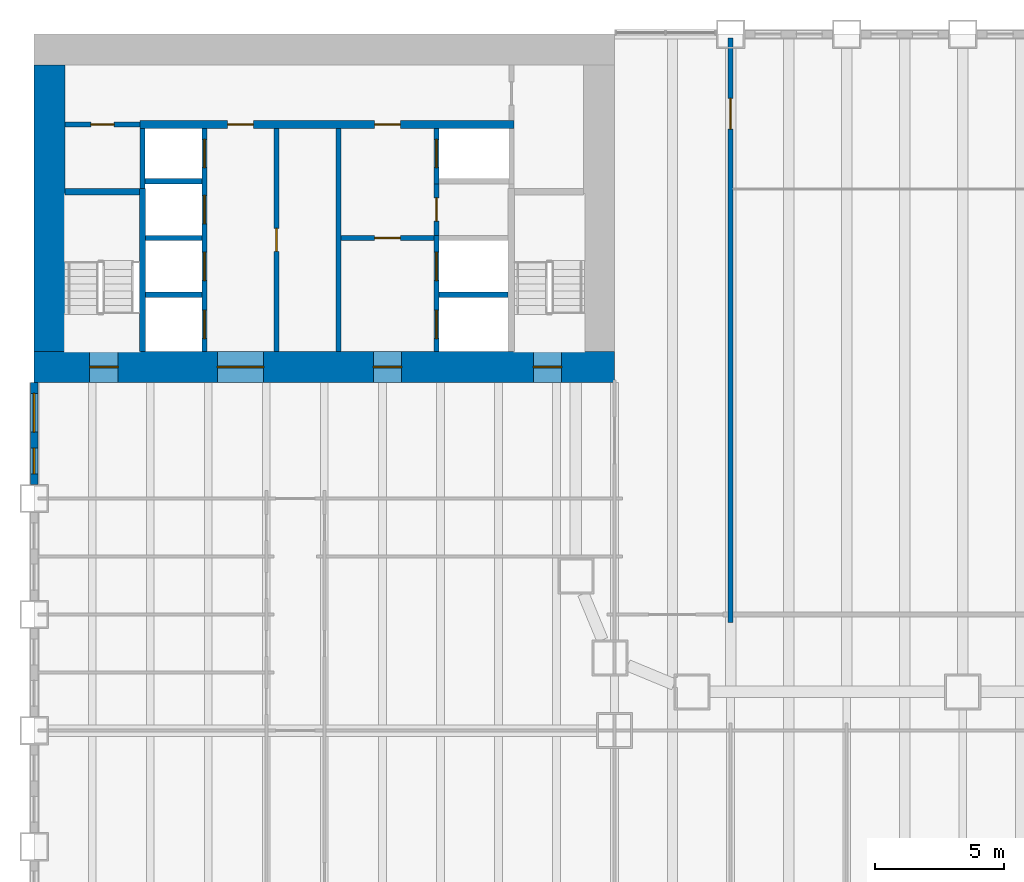
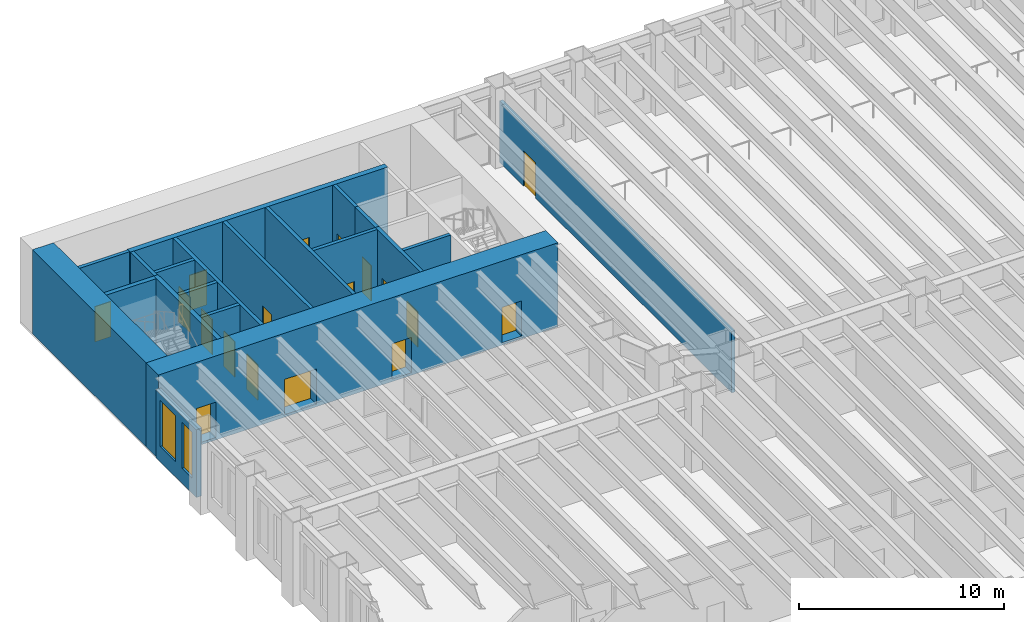
# One storey, part 12 of 19: 20 walls, 18 doors, 2 windows, 20 openings.
"""IFC4 building model written with IfcOpenShell, lengths in metres."""

from ifc_helpers import new_model, si_unit, direction, frame, frame_2d, origin, place, context, subcontext, project, spatial, rectangle, extrude, material, layer, layer_set, type_object, element, fill, save


model = new_model("IFC4")

# Units and contexts
model_context = context("Model", 3, precision=1e-05, world=origin(), true_north=direction((0.0, 1.0)))
body_context = subcontext(model_context, "Body", "Model", "MODEL_VIEW")
ifc_project = project(units=[si_unit("LENGTHUNIT", "METRE"), si_unit("AREAUNIT", "SQUARE_METRE"), si_unit("VOLUMEUNIT", "CUBIC_METRE"), si_unit("PLANEANGLEUNIT", "RADIAN"), si_unit("MASSUNIT", "GRAM", prefix="KILO")], contexts=[model_context])

# Site, building, storey
site_placement = place(None, origin())
site = spatial("IfcSite", under=ifc_project, at=site_placement, CompositionType="ELEMENT")
building_placement = place(site_placement, origin())
building = spatial("IfcBuilding", under=site, at=building_placement, Name="Sennacour Bend Tower", CompositionType="ELEMENT")
storey_placement = place(building_placement, frame((0.0, 0.0, 14.0)))
storey = spatial("IfcBuildingStorey", under=building, at=storey_placement, Name="L02", CompositionType="ELEMENT", Elevation=14.0)

# Wall, openings, doors
ifc_material_1 = material(Name="Concrete C80/95", Category="concrete")
ifc_layer_1 = layer(ifc_material_1, 1.199951171875, Name="Concrete C80/95", Category="concrete")
ifc_layer_set_1 = layer_set([ifc_layer_1], Name="Concrete C80/95")
wall_type_1 = type_object("IfcWallType", Name="Core wall 1200 C80/95", PredefinedType="SHEAR", material=ifc_layer_set_1)
wall_1_placement = place(storey_placement, frame((0.0, 36.60009765625, -0.14990234375), z_axis=(0.0, 0.0, 1.0), x_axis=(1.0, 0.0, 0.0)))
wall_1 = element("IfcWall", 1, at=wall_1_placement, inside=storey, type_object=wall_type_1, Name="Core B wall L02 S", PredefinedType="SHEAR", context=body_context, shape_type="SweptSolid", body=[
    extrude(rectangle(XDim=22.5, YDim=1.199951171875, at=frame_2d((11.25, 0.0))), origin(), (0.0, 0.0, 1.0), 5.0),
])
opening_1_placement = place(wall_1_placement, frame((7.10009765625, 0.0, 0.14990234375)))
opening_1 = element("IfcOpeningElement", 2, at=opening_1_placement, cuts=wall_1, Name="Opening CD", PredefinedType="OPENING", context=body_context, shape_type="SweptSolid", body=[
    extrude(rectangle(XDim=1.800048828125, YDim=2.10009765625, at=frame_2d((0.89990234375, 1.050048828125))), frame((0.0, 0.60986328125, 0.0), z_axis=(0.0, -1.0, 0.0), x_axis=(1.0, 0.0, 0.0)), (0.0, 0.0, 1.0), 1.219970703125),
])
opening_2_placement = place(wall_1_placement, frame((13.14990234375, 0.0, 0.14990234375)))
opening_2 = element("IfcOpeningElement", 3, at=opening_2_placement, cuts=wall_1, Name="Opening FD", PredefinedType="OPENING", context=body_context, shape_type="SweptSolid", body=[
    extrude(rectangle(XDim=1.10009765625, YDim=2.10009765625, at=frame_2d((0.550048828125, 1.050048828125))), frame((0.0, 0.60986328125, 0.0), z_axis=(0.0, -1.0, 0.0), x_axis=(1.0, 0.0, 0.0)), (0.0, 0.0, 1.0), 1.219970703125),
])
opening_3_placement = place(wall_1_placement, frame((2.14990234375, 0.0, 0.14990234375)))
opening_3 = element("IfcOpeningElement", 4, at=opening_3_placement, cuts=wall_1, Name="Opening SD", PredefinedType="OPENING", context=body_context, shape_type="SweptSolid", body=[
    extrude(rectangle(XDim=1.10009765625, YDim=2.10009765625, at=frame_2d((0.550048828125, 1.050048828125))), frame((0.0, 0.60986328125, 0.0), z_axis=(0.0, -1.0, 0.0), x_axis=(1.0, 0.0, 0.0)), (0.0, 0.0, 1.0), 1.219970703125),
])
opening_4_placement = place(wall_1_placement, frame((19.35009765625, 0.0, 0.14990234375)))
opening_4 = element("IfcOpeningElement", 5, at=opening_4_placement, cuts=wall_1, Name="Opening SD", PredefinedType="OPENING", context=body_context, shape_type="SweptSolid", body=[
    extrude(rectangle(XDim=1.10009765625, YDim=2.10009765625, at=frame_2d((0.550048828125, 1.050048828125))), frame((0.0, 0.60986328125, 0.0), z_axis=(0.0, -1.0, 0.0), x_axis=(1.0, 0.0, 0.0)), (0.0, 0.0, 1.0), 1.219970703125),
])
ifc_material_2 = material(Name="Painted steel", Category="steel")
door_type_1 = type_object("IfcDoorType", Name="DR-FFL-1100", OperationType="NOTDEFINED", PredefinedType="DOOR", material=ifc_material_2)
door_1_placement = place(opening_2_placement, origin())
door_1 = element("IfcDoor", 6, at=door_1_placement, inside=storey, type_object=door_type_1, Name="Door", OperationType="SINGLE_SWING_RIGHT", OverallHeight=2.10009765625, OverallWidth=1.10009765625, PredefinedType="DOOR", context=body_context, shape_type="SweptSolid", body=[
    extrude(rectangle(XDim=1.10009765625, YDim=2.10009765625, at=frame_2d((0.550048828125, 1.050048828125))), frame((0.0, 0.02490234375, 0.0), z_axis=(0.0, -1.0, 0.0), x_axis=(1.0, 0.0, 0.0)), (0.0, 0.0, 1.0), 0.050048828125),
])
fill(opening_2, door_1)
door_type_2 = type_object("IfcDoorType", Name="DR-LOBBY-1800", OperationType="NOTDEFINED", PredefinedType="DOOR", material=ifc_material_2)
door_2_placement = place(opening_1_placement, origin())
door_2 = element("IfcDoor", 7, at=door_2_placement, inside=storey, type_object=door_type_2, Name="Door", OperationType="DOUBLE_DOOR_SINGLE_SWING", OverallHeight=2.10009765625, OverallWidth=1.800048828125, PredefinedType="DOOR", context=body_context, shape_type="SweptSolid", body=[
    extrude(rectangle(XDim=1.800048828125, YDim=2.10009765625, at=frame_2d((0.89990234375, 1.050048828125))), frame((0.0, 0.02490234375, 0.0), z_axis=(0.0, -1.0, 0.0), x_axis=(1.0, 0.0, 0.0)), (0.0, 0.0, 1.0), 0.050048828125),
])
fill(opening_1, door_2)
door_type_3 = type_object("IfcDoorType", Name="DR-STAIR-1100", OperationType="NOTDEFINED", PredefinedType="DOOR", material=ifc_material_2)
door_3_placement = place(opening_3_placement, origin())
door_3 = element("IfcDoor", 8, at=door_3_placement, inside=storey, type_object=door_type_3, Name="Door", OperationType="SINGLE_SWING_LEFT", OverallHeight=2.10009765625, OverallWidth=1.10009765625, PredefinedType="DOOR", context=body_context, shape_type="SweptSolid", body=[
    extrude(rectangle(XDim=1.10009765625, YDim=2.10009765625, at=frame_2d((0.550048828125, 1.050048828125))), frame((0.0, 0.02490234375, 0.0), z_axis=(0.0, -1.0, 0.0), x_axis=(1.0, 0.0, 0.0)), (0.0, 0.0, 1.0), 0.050048828125),
])
fill(opening_3, door_3)
door_4_placement = place(opening_4_placement, origin())
door_4 = element("IfcDoor", 9, at=door_4_placement, inside=storey, type_object=door_type_3, Name="Door", OperationType="SINGLE_SWING_RIGHT", OverallHeight=2.10009765625, OverallWidth=1.10009765625, PredefinedType="DOOR", context=body_context, shape_type="SweptSolid", body=[
    extrude(rectangle(XDim=1.10009765625, YDim=2.10009765625, at=frame_2d((0.550048828125, 1.050048828125))), frame((0.0, 0.02490234375, 0.0), z_axis=(0.0, -1.0, 0.0), x_axis=(1.0, 0.0, 0.0)), (0.0, 0.0, 1.0), 0.050048828125),
])
fill(opening_4, door_4)

# Wall
wall_2_placement = place(storey_placement, frame((0.60009765625, 37.199951171875, -0.14990234375), z_axis=(0.0, 0.0, 1.0), x_axis=(0.0, 1.0, 0.0)))
element("IfcWall", 10, at=wall_2_placement, inside=storey, type_object=wall_type_1, Name="Core B wall L02 W", PredefinedType="SHEAR", context=body_context, shape_type="SweptSolid", body=[
    extrude(rectangle(XDim=11.10009765625, YDim=1.199951171875, at=frame_2d((5.550048828125, 0.0))), origin(), (0.0, 0.0, 1.0), 5.0),
])

# Wall, opening, door
ifc_material_3 = material(Name="Fire-rated plasterboard partition on steel studs", Category="steel")
ifc_layer_2 = layer(ifc_material_3, 0.199951171875, Name="Fire-rated plasterboard partition on steel studs", Category="steel")
ifc_layer_set_2 = layer_set([ifc_layer_2], Name="Fire-rated plasterboard partition on steel studs")
wall_type_2 = type_object("IfcWallType", Name="Rated partition 200", PredefinedType="PARTITIONING", material=ifc_layer_set_2)
wall_3_placement = place(storey_placement, frame((9.39990234375, 37.199951171875, 0.0), z_axis=(0.0, 0.0, 1.0), x_axis=(0.0, 1.0, 0.0)))
wall_3 = element("IfcWall", 11, at=wall_3_placement, inside=storey, type_object=wall_type_2, Name="P-L02-W010", PredefinedType="PARTITIONING", context=body_context, shape_type="SweptSolid", body=[
    extrude(rectangle(XDim=8.650146484375, YDim=0.199951171875, at=frame_2d((4.3251953125, 0.0))), origin(), (0.0, 0.0, 1.0), 4.75),
])
opening_5_placement = place(wall_3_placement, frame((3.875, 0.0, 0.0)))
opening_5 = element("IfcOpeningElement", 12, at=opening_5_placement, cuts=wall_3, Name="Opening SV", PredefinedType="OPENING", context=body_context, shape_type="SweptSolid", body=[
    extrude(rectangle(XDim=0.89990234375, YDim=2.10009765625, at=frame_2d((0.449951171875, 1.050048828125))), frame((0.0, 0.10986328125, 0.0), z_axis=(0.0, -1.0, 0.0), x_axis=(1.0, 0.0, 0.0)), (0.0, 0.0, 1.0), 0.219970703125),
])
door_type_4 = type_object("IfcDoorType", Name="DR-SERVICE-900", OperationType="NOTDEFINED", PredefinedType="DOOR", material=ifc_material_2)
door_5_placement = place(opening_5_placement, origin())
door_5 = element("IfcDoor", 13, at=door_5_placement, inside=storey, type_object=door_type_4, Name="Door", OperationType="SINGLE_SWING_LEFT", OverallHeight=2.10009765625, OverallWidth=0.89990234375, PredefinedType="DOOR", context=body_context, shape_type="SweptSolid", body=[
    extrude(rectangle(XDim=0.89990234375, YDim=2.10009765625, at=frame_2d((0.449951171875, 1.050048828125))), frame((0.0, 0.02490234375, 0.0), z_axis=(0.0, -1.0, 0.0), x_axis=(1.0, 0.0, 0.0)), (0.0, 0.0, 1.0), 0.050048828125),
])
fill(opening_5, door_5)

# Wall
wall_4_placement = place(storey_placement, frame((11.800048828125, 37.199951171875, 0.0), z_axis=(0.0, 0.0, 1.0), x_axis=(0.0, 1.0, 0.0)))
element("IfcWall", 14, at=wall_4_placement, inside=storey, type_object=wall_type_2, Name="P-L02-W012", PredefinedType="PARTITIONING", context=body_context, shape_type="SweptSolid", body=[
    extrude(rectangle(XDim=8.650146484375, YDim=0.199951171875, at=frame_2d((4.3251953125, 0.0))), origin(), (0.0, 0.0, 1.0), 4.75),
])

# Wall, opening, door
wall_5_placement = place(storey_placement, frame((15.60009765625, 41.699951171875, 0.0), z_axis=(0.0, 0.0, 1.0), x_axis=(0.0, 1.0, 0.0)))
wall_5 = element("IfcWall", 15, at=wall_5_placement, inside=storey, type_object=wall_type_2, Name="P-L02-W014", PredefinedType="PARTITIONING", context=body_context, shape_type="SweptSolid", body=[
    extrude(rectangle(XDim=2.0, YDim=0.199951171875, at=frame_2d((1.0, 0.0))), origin(), (0.0, 0.0, 1.0), 4.75),
])
opening_6_placement = place(wall_5_placement, frame((0.550048828125, 0.0, 0.0)))
opening_6 = element("IfcOpeningElement", 16, at=opening_6_placement, cuts=wall_5, Name="Opening SV", PredefinedType="OPENING", context=body_context, shape_type="SweptSolid", body=[
    extrude(rectangle(XDim=0.89990234375, YDim=2.10009765625, at=frame_2d((0.449951171875, 1.050048828125))), frame((0.0, 0.10986328125, 0.0), z_axis=(0.0, -1.0, 0.0), x_axis=(1.0, 0.0, 0.0)), (0.0, 0.0, 1.0), 0.219970703125),
])
door_6_placement = place(opening_6_placement, origin())
door_6 = element("IfcDoor", 17, at=door_6_placement, inside=storey, type_object=door_type_4, Name="Door", OperationType="SINGLE_SWING_RIGHT", OverallHeight=2.10009765625, OverallWidth=0.89990234375, PredefinedType="DOOR", context=body_context, shape_type="SweptSolid", body=[
    extrude(rectangle(XDim=0.89990234375, YDim=2.10009765625, at=frame_2d((0.449951171875, 1.050048828125))), frame((0.0, 0.02490234375, 0.0), z_axis=(0.0, -1.0, 0.0), x_axis=(1.0, 0.0, 0.0)), (0.0, 0.0, 1.0), 0.050048828125),
])
fill(opening_6, door_6)

wall_6_placement = place(storey_placement, frame((27.0, 26.699951171875, 0.0), z_axis=(0.0, 0.0, 1.0), x_axis=(0.0, 1.0, 0.0)))
wall_6 = element("IfcWall", 18, at=wall_6_placement, inside=storey, type_object=wall_type_2, Name="P-L02-W023a", PredefinedType="PARTITIONING", context=body_context, shape_type="SweptSolid", body=[
    extrude(rectangle(XDim=22.650146484375, YDim=0.199951171875, at=frame_2d((11.3251953125, 0.0))), origin(), (0.0, 0.0, 1.0), 3.66015625),
])
opening_7_placement = place(wall_6_placement, frame((19.114990234375, 0.0, 0.0)))
opening_7 = element("IfcOpeningElement", 19, at=opening_7_placement, cuts=wall_6, Name="Opening CD3", PredefinedType="OPENING", context=body_context, shape_type="SweptSolid", body=[
    extrude(rectangle(XDim=1.199951171875, YDim=2.10009765625, at=frame_2d((0.60009765625, 1.050048828125))), frame((0.0, 0.10986328125, 0.0), z_axis=(0.0, -1.0, 0.0), x_axis=(1.0, 0.0, 0.0)), (0.0, 0.0, 1.0), 0.219970703125),
])
door_type_5 = type_object("IfcDoorType", Name="DR-LOBBY-1200", OperationType="NOTDEFINED", PredefinedType="DOOR", material=ifc_material_2)
door_7_placement = place(opening_7_placement, origin())
door_7 = element("IfcDoor", 20, at=door_7_placement, inside=storey, type_object=door_type_5, Name="Door", OperationType="SINGLE_SWING_RIGHT", OverallHeight=2.10009765625, OverallWidth=1.199951171875, PredefinedType="DOOR", context=body_context, shape_type="SweptSolid", body=[
    extrude(rectangle(XDim=1.199951171875, YDim=2.10009765625, at=frame_2d((0.60009765625, 1.050048828125))), frame((0.0, 0.02490234375, 0.0), z_axis=(0.0, -1.0, 0.0), x_axis=(1.0, 0.0, 0.0)), (0.0, 0.0, 1.0), 0.050048828125),
])
fill(opening_7, door_7)

wall_7_placement = place(storey_placement, frame((1.199951171875, 46.0, 0.0), z_axis=(0.0, 0.0, 1.0), x_axis=(1.0, 0.0, 0.0)))
wall_7 = element("IfcWall", 21, at=wall_7_placement, inside=storey, type_object=wall_type_2, Name="P-L02-W080", PredefinedType="PARTITIONING", context=body_context, shape_type="SweptSolid", body=[
    extrude(rectangle(XDim=2.900146484375, YDim=0.199951171875, at=frame_2d((1.4501953125, 0.0))), origin(), (0.0, 0.0, 1.0), 4.75),
])
opening_8_placement = place(wall_7_placement, frame((1.0, 0.0, 0.0)))
opening_8 = element("IfcOpeningElement", 22, at=opening_8_placement, cuts=wall_7, Name="Opening SV", PredefinedType="OPENING", context=body_context, shape_type="SweptSolid", body=[
    extrude(rectangle(XDim=0.89990234375, YDim=2.10009765625, at=frame_2d((0.449951171875, 1.050048828125))), frame((0.0, 0.10986328125, 0.0), z_axis=(0.0, -1.0, 0.0), x_axis=(1.0, 0.0, 0.0)), (0.0, 0.0, 1.0), 0.219970703125),
])
door_8_placement = place(opening_8_placement, origin())
door_8 = element("IfcDoor", 23, at=door_8_placement, inside=storey, type_object=door_type_4, Name="Door", OperationType="SINGLE_SWING_LEFT", OverallHeight=2.10009765625, OverallWidth=0.89990234375, PredefinedType="DOOR", context=body_context, shape_type="SweptSolid", body=[
    extrude(rectangle(XDim=0.89990234375, YDim=2.10009765625, at=frame_2d((0.449951171875, 1.050048828125))), frame((0.0, 0.02490234375, 0.0), z_axis=(0.0, -1.0, 0.0), x_axis=(1.0, 0.0, 0.0)), (0.0, 0.0, 1.0), 0.050048828125),
])
fill(opening_8, door_8)

ifc_layer_3 = layer(ifc_material_3, 0.199951171875, Name="Fire-rated plasterboard partition on steel studs", Category="steel")
ifc_layer_set_3 = layer_set([ifc_layer_3], Name="Fire-rated plasterboard partition on steel studs")
wall_type_3 = type_object("IfcWallType", Name="Rated partition 200 EI 90", PredefinedType="PARTITIONING", material=ifc_layer_set_3)
wall_8_placement = place(storey_placement, frame((11.89990234375, 41.60009765625, 0.0), z_axis=(0.0, 0.0, 1.0), x_axis=(1.0, 0.0, 0.0)))
wall_8 = element("IfcWall", 24, at=wall_8_placement, inside=storey, type_object=wall_type_3, Name="P-L02-W074", PredefinedType="PARTITIONING", context=body_context, shape_type="SweptSolid", body=[
    extrude(rectangle(XDim=3.60009765625, YDim=0.199951171875, at=frame_2d((1.800048828125, 0.0))), origin(), (0.0, 0.0, 1.0), 4.75),
])
opening_9_placement = place(wall_8_placement, frame((1.300048828125, 0.0, 0.0)))
opening_9 = element("IfcOpeningElement", 25, at=opening_9_placement, cuts=wall_8, Name="Opening FD2", PredefinedType="OPENING", context=body_context, shape_type="SweptSolid", body=[
    extrude(rectangle(XDim=1.0, YDim=2.10009765625, at=frame_2d((0.5, 1.050048828125))), frame((0.0, 0.10986328125, 0.0), z_axis=(0.0, -1.0, 0.0), x_axis=(1.0, 0.0, 0.0)), (0.0, 0.0, 1.0), 0.219970703125),
])
door_type_6 = type_object("IfcDoorType", Name="DR-FFL-1000", OperationType="NOTDEFINED", PredefinedType="DOOR", material=ifc_material_2)
door_9_placement = place(opening_9_placement, origin())
door_9 = element("IfcDoor", 26, at=door_9_placement, inside=storey, type_object=door_type_6, Name="Door", OperationType="SINGLE_SWING_LEFT", OverallHeight=2.10009765625, OverallWidth=1.0, PredefinedType="DOOR", context=body_context, shape_type="SweptSolid", body=[
    extrude(rectangle(XDim=1.0, YDim=2.10009765625, at=frame_2d((0.5, 1.050048828125))), frame((0.0, 0.02490234375, 0.0), z_axis=(0.0, -1.0, 0.0), x_axis=(1.0, 0.0, 0.0)), (0.0, 0.0, 1.0), 0.050048828125),
])
fill(opening_9, door_9)

# Wall, openings, windows
ifc_material_4 = material(Name="Warm limestone cladding", Category="masonry")
ifc_layer_4 = layer(ifc_material_4, 0.050048828125, Name="Warm limestone cladding", Category="masonry")
ifc_material_5 = material(Name="Precast concrete C40/50", Category="concrete")
ifc_layer_5 = layer(ifc_material_5, 0.25, Name="Precast concrete C40/50", Category="concrete")
ifc_layer_set_4 = layer_set([ifc_layer_4, ifc_layer_5], Name="Precast concrete C40/50 with limestone cladding")
wall_type_4 = type_object("IfcWallType", Name="STONE-CLAD PRECAST SPANDREL 300", PredefinedType="STANDARD", material=ifc_layer_set_4)
wall_9_placement = place(storey_placement, frame((0.0, 35.9990234375, 0.0), z_axis=(0.0, 0.0, 1.0), x_axis=(0.0, -1.0, 0.0)))
wall_9 = element("IfcWall", 27, at=wall_9_placement, inside=storey, type_object=wall_type_4, Name="Stone spandrel and pier wall L02 02.00", PredefinedType="STANDARD", context=body_context, shape_type="SweptSolid", body=[
    extrude(rectangle(XDim=3.948974609375, YDim=0.300048828125, at=frame_2d((1.974609375, 0.0))), origin(), (0.0, 0.0, 1.0), 4.035888671875),
])
opening_10_placement = place(wall_9_placement, frame((0.424560546875, 0.0, 0.89990234375)))
opening_10 = element("IfcOpeningElement", 28, at=opening_10_placement, cuts=wall_9, Name="Opening W4", PredefinedType="OPENING", context=body_context, shape_type="SweptSolid", body=[
    extrude(rectangle(XDim=1.5, YDim=2.75, at=frame_2d((0.75, 1.375))), frame((0.0, 0.16015625, 0.0), z_axis=(0.0, -1.0, 0.0), x_axis=(1.0, 0.0, 0.0)), (0.0, 0.0, 1.0), 0.320068359375),
])
opening_11_placement = place(wall_9_placement, frame((2.549072265625, 0.0, 0.89990234375)))
opening_11 = element("IfcOpeningElement", 29, at=opening_11_placement, cuts=wall_9, Name="Opening W3", PredefinedType="OPENING", context=body_context, shape_type="SweptSolid", body=[
    extrude(rectangle(XDim=1.0, YDim=2.75, at=frame_2d((0.5, 1.375))), frame((0.0, 0.16015625, 0.0), z_axis=(0.0, -1.0, 0.0), x_axis=(1.0, 0.0, 0.0)), (0.0, 0.0, 1.0), 0.320068359375),
])
ifc_material_6 = material(Name="Clear low-emissivity glass", Category="glass")
window_type_1 = type_object("IfcWindowType", Name="WIN-RIBBON-1000x2750", PartitioningType="SINGLE_PANEL", PredefinedType="WINDOW", material=ifc_material_6)
window_1_placement = place(opening_11_placement, origin())
window_1 = element("IfcWindow", 30, at=window_1_placement, inside=storey, type_object=window_type_1, Name="Ribbon window L02 02.00.1", OverallHeight=2.75, OverallWidth=1.0, PartitioningType="SINGLE_PANEL", PredefinedType="WINDOW", context=body_context, shape_type="SweptSolid", body=[
    extrude(rectangle(XDim=1.0, YDim=2.75, at=frame_2d((0.5, 1.375))), frame((0.0, 0.030029296875, 0.0), z_axis=(0.0, -1.0, 0.0), x_axis=(1.0, 0.0, 0.0)), (0.0, 0.0, 1.0), 0.06005859375),
])
fill(opening_11, window_1)
window_type_2 = type_object("IfcWindowType", Name="WIN-RIBBON-1500x2750", PartitioningType="SINGLE_PANEL", PredefinedType="WINDOW", material=ifc_material_6)
window_2_placement = place(opening_10_placement, origin())
window_2 = element("IfcWindow", 31, at=window_2_placement, inside=storey, type_object=window_type_2, Name="Ribbon window L02 02.00.0", OverallHeight=2.75, OverallWidth=1.5, PartitioningType="SINGLE_PANEL", PredefinedType="WINDOW", context=body_context, shape_type="SweptSolid", body=[
    extrude(rectangle(XDim=1.5, YDim=2.75, at=frame_2d((0.75, 1.375))), frame((0.0, 0.030029296875, 0.0), z_axis=(0.0, -1.0, 0.0), x_axis=(1.0, 0.0, 0.0)), (0.0, 0.0, 1.0), 0.06005859375),
])
fill(opening_10, window_2)

# Wall
ifc_material_7 = material(Name="Concrete C50/60", Category="concrete")
ifc_layer_6 = layer(ifc_material_7, 0.199951171875, Name="Concrete C50/60", Category="concrete")
ifc_layer_set_5 = layer_set([ifc_layer_6], Name="Concrete C50/60")
wall_type_5 = type_object("IfcWallType", Name="Shaft wall 200", PredefinedType="SOLIDWALL", material=ifc_layer_set_5)
wall_10_placement = place(storey_placement, frame((4.199951171875, 43.52490234375, 0.0), z_axis=(0.0, 0.0, 1.0), x_axis=(0.0, 1.0, 0.0)))
element("IfcWall", 32, at=wall_10_placement, inside=storey, type_object=wall_type_5, Name="P-L02-W004", PredefinedType="SOLIDWALL", context=body_context, shape_type="SweptSolid", body=[
    extrude(rectangle(XDim=2.3251953125, YDim=0.199951171875, at=frame_2d((1.16259765625, 0.0))), origin(), (0.0, 0.0, 1.0), 4.75),
])

# Wall, openings, doors
wall_11_placement = place(storey_placement, frame((6.60009765625, 37.199951171875, 0.0), z_axis=(0.0, 0.0, 1.0), x_axis=(0.0, 1.0, 0.0)))
wall_11 = element("IfcWall", 33, at=wall_11_placement, inside=storey, type_object=wall_type_5, Name="P-L02-W005", PredefinedType="SOLIDWALL", context=body_context, shape_type="SweptSolid", body=[
    extrude(rectangle(XDim=8.650146484375, YDim=0.199951171875, at=frame_2d((4.3251953125, 0.0))), origin(), (0.0, 0.0, 1.0), 4.75),
])
opening_12_placement = place(wall_11_placement, frame((0.5, 0.0, 0.011962890625)))
opening_12 = element("IfcOpeningElement", 34, at=opening_12_placement, cuts=wall_11, Name="Opening LD", PredefinedType="OPENING", context=body_context, shape_type="SweptSolid", body=[
    extrude(rectangle(XDim=1.10009765625, YDim=2.10009765625, at=frame_2d((0.550048828125, 1.050048828125))), frame((0.0, 0.10986328125, 0.0), z_axis=(0.0, -1.0, 0.0), x_axis=(1.0, 0.0, 0.0)), (0.0, 0.0, 1.0), 0.219970703125),
])
opening_13_placement = place(wall_11_placement, frame((2.75, 0.0, 0.011962890625)))
opening_13 = element("IfcOpeningElement", 35, at=opening_13_placement, cuts=wall_11, Name="Opening LD", PredefinedType="OPENING", context=body_context, shape_type="SweptSolid", body=[
    extrude(rectangle(XDim=1.10009765625, YDim=2.10009765625, at=frame_2d((0.550048828125, 1.050048828125))), frame((0.0, 0.10986328125, 0.0), z_axis=(0.0, -1.0, 0.0), x_axis=(1.0, 0.0, 0.0)), (0.0, 0.0, 1.0), 0.219970703125),
])
opening_14_placement = place(wall_11_placement, frame((4.949951171875, 0.0, 0.011962890625)))
opening_14 = element("IfcOpeningElement", 36, at=opening_14_placement, cuts=wall_11, Name="Opening LD", PredefinedType="OPENING", context=body_context, shape_type="SweptSolid", body=[
    extrude(rectangle(XDim=1.10009765625, YDim=2.10009765625, at=frame_2d((0.550048828125, 1.050048828125))), frame((0.0, 0.10986328125, 0.0), z_axis=(0.0, -1.0, 0.0), x_axis=(1.0, 0.0, 0.0)), (0.0, 0.0, 1.0), 0.219970703125),
])
opening_15_placement = place(wall_11_placement, frame((7.125, 0.0, 0.011962890625)))
opening_15 = element("IfcOpeningElement", 37, at=opening_15_placement, cuts=wall_11, Name="Opening LD", PredefinedType="OPENING", context=body_context, shape_type="SweptSolid", body=[
    extrude(rectangle(XDim=1.10009765625, YDim=2.10009765625, at=frame_2d((0.550048828125, 1.050048828125))), frame((0.0, 0.10986328125, 0.0), z_axis=(0.0, -1.0, 0.0), x_axis=(1.0, 0.0, 0.0)), (0.0, 0.0, 1.0), 0.219970703125),
])
ifc_material_8 = material(Name="Stainless steel", Category="steel")
door_type_7 = type_object("IfcDoorType", Name="DR-LANDING-1100", OperationType="NOTDEFINED", PredefinedType="DOOR", material=ifc_material_8)
door_10_placement = place(opening_12_placement, origin())
door_10 = element("IfcDoor", 38, at=door_10_placement, inside=storey, type_object=door_type_7, Name="Lift landing door LB1", OperationType="SLIDING_TO_LEFT", OverallHeight=2.10009765625, OverallWidth=1.10009765625, PredefinedType="DOOR", context=body_context, shape_type="SweptSolid", body=[
    extrude(rectangle(XDim=1.10009765625, YDim=2.10009765625, at=frame_2d((0.550048828125, 1.050048828125))), frame((0.0, 0.02490234375, 0.0), z_axis=(0.0, -1.0, 0.0), x_axis=(1.0, 0.0, 0.0)), (0.0, 0.0, 1.0), 0.050048828125),
])
fill(opening_12, door_10)
door_11_placement = place(opening_13_placement, origin())
door_11 = element("IfcDoor", 39, at=door_11_placement, inside=storey, type_object=door_type_7, Name="Lift landing door LB2", OperationType="SLIDING_TO_RIGHT", OverallHeight=2.10009765625, OverallWidth=1.10009765625, PredefinedType="DOOR", context=body_context, shape_type="SweptSolid", body=[
    extrude(rectangle(XDim=1.10009765625, YDim=2.10009765625, at=frame_2d((0.550048828125, 1.050048828125))), frame((0.0, 0.02490234375, 0.0), z_axis=(0.0, -1.0, 0.0), x_axis=(1.0, 0.0, 0.0)), (0.0, 0.0, 1.0), 0.050048828125),
])
fill(opening_13, door_11)
door_12_placement = place(opening_14_placement, origin())
door_12 = element("IfcDoor", 40, at=door_12_placement, inside=storey, type_object=door_type_7, Name="Lift landing door LB3", OperationType="SLIDING_TO_LEFT", OverallHeight=2.10009765625, OverallWidth=1.10009765625, PredefinedType="DOOR", context=body_context, shape_type="SweptSolid", body=[
    extrude(rectangle(XDim=1.10009765625, YDim=2.10009765625, at=frame_2d((0.550048828125, 1.050048828125))), frame((0.0, 0.02490234375, 0.0), z_axis=(0.0, -1.0, 0.0), x_axis=(1.0, 0.0, 0.0)), (0.0, 0.0, 1.0), 0.050048828125),
])
fill(opening_14, door_12)
door_13_placement = place(opening_15_placement, origin())
door_13 = element("IfcDoor", 41, at=door_13_placement, inside=storey, type_object=door_type_7, Name="Lift landing door LB4", OperationType="SLIDING_TO_RIGHT", OverallHeight=2.10009765625, OverallWidth=1.10009765625, PredefinedType="DOOR", context=body_context, shape_type="SweptSolid", body=[
    extrude(rectangle(XDim=1.10009765625, YDim=2.10009765625, at=frame_2d((0.550048828125, 1.050048828125))), frame((0.0, 0.02490234375, 0.0), z_axis=(0.0, -1.0, 0.0), x_axis=(1.0, 0.0, 0.0)), (0.0, 0.0, 1.0), 0.050048828125),
])
fill(opening_15, door_13)

wall_12_placement = place(storey_placement, frame((15.60009765625, 37.199951171875, 0.0), z_axis=(0.0, 0.0, 1.0), x_axis=(0.0, 1.0, 0.0)))
wall_12 = element("IfcWall", 42, at=wall_12_placement, inside=storey, type_object=wall_type_5, Name="P-L02-W013", PredefinedType="SOLIDWALL", context=body_context, shape_type="SweptSolid", body=[
    extrude(rectangle(XDim=4.5, YDim=0.199951171875, at=frame_2d((2.25, 0.0))), origin(), (0.0, 0.0, 1.0), 4.75),
])
opening_16_placement = place(wall_12_placement, frame((0.5, 0.0, 0.011962890625)))
opening_16 = element("IfcOpeningElement", 43, at=opening_16_placement, cuts=wall_12, Name="Opening FLD", PredefinedType="OPENING", context=body_context, shape_type="SweptSolid", body=[
    extrude(rectangle(XDim=1.10009765625, YDim=2.10009765625, at=frame_2d((0.550048828125, 1.050048828125))), frame((0.0, 0.10986328125, 0.0), z_axis=(0.0, -1.0, 0.0), x_axis=(1.0, 0.0, 0.0)), (0.0, 0.0, 1.0), 0.219970703125),
])
opening_17_placement = place(wall_12_placement, frame((2.75, 0.0, 0.011962890625)))
opening_17 = element("IfcOpeningElement", 44, at=opening_17_placement, cuts=wall_12, Name="Opening FLD", PredefinedType="OPENING", context=body_context, shape_type="SweptSolid", body=[
    extrude(rectangle(XDim=1.10009765625, YDim=2.10009765625, at=frame_2d((0.550048828125, 1.050048828125))), frame((0.0, 0.10986328125, 0.0), z_axis=(0.0, -1.0, 0.0), x_axis=(1.0, 0.0, 0.0)), (0.0, 0.0, 1.0), 0.219970703125),
])
door_type_8 = type_object("IfcDoorType", Name="DR-FF-LANDING-1100", OperationType="NOTDEFINED", PredefinedType="DOOR", material=ifc_material_8)
door_14_placement = place(opening_16_placement, origin())
door_14 = element("IfcDoor", 45, at=door_14_placement, inside=storey, type_object=door_type_8, Name="Fire service lift landing door FB1", OperationType="SLIDING_TO_LEFT", OverallHeight=2.10009765625, OverallWidth=1.10009765625, PredefinedType="DOOR", context=body_context, shape_type="SweptSolid", body=[
    extrude(rectangle(XDim=1.10009765625, YDim=2.10009765625, at=frame_2d((0.550048828125, 1.050048828125))), frame((0.0, 0.02490234375, 0.0), z_axis=(0.0, -1.0, 0.0), x_axis=(1.0, 0.0, 0.0)), (0.0, 0.0, 1.0), 0.050048828125),
])
fill(opening_16, door_14)
door_15_placement = place(opening_17_placement, origin())
door_15 = element("IfcDoor", 46, at=door_15_placement, inside=storey, type_object=door_type_8, Name="Fire service lift landing door FB2", OperationType="SLIDING_TO_RIGHT", OverallHeight=2.10009765625, OverallWidth=1.10009765625, PredefinedType="DOOR", context=body_context, shape_type="SweptSolid", body=[
    extrude(rectangle(XDim=1.10009765625, YDim=2.10009765625, at=frame_2d((0.550048828125, 1.050048828125))), frame((0.0, 0.02490234375, 0.0), z_axis=(0.0, -1.0, 0.0), x_axis=(1.0, 0.0, 0.0)), (0.0, 0.0, 1.0), 0.050048828125),
])
fill(opening_17, door_15)

# Wall, opening, door
wall_13_placement = place(storey_placement, frame((15.60009765625, 43.699951171875, 0.0), z_axis=(0.0, 0.0, 1.0), x_axis=(0.0, 1.0, 0.0)))
wall_13 = element("IfcWall", 47, at=wall_13_placement, inside=storey, type_object=wall_type_5, Name="P-L02-W015", PredefinedType="SOLIDWALL", context=body_context, shape_type="SweptSolid", body=[
    extrude(rectangle(XDim=2.150146484375, YDim=0.199951171875, at=frame_2d((1.0751953125, 0.0))), origin(), (0.0, 0.0, 1.0), 4.75),
])
opening_18_placement = place(wall_13_placement, frame((0.625, 0.0, 0.011962890625)))
opening_18 = element("IfcOpeningElement", 48, at=opening_18_placement, cuts=wall_13, Name="Opening LD", PredefinedType="OPENING", context=body_context, shape_type="SweptSolid", body=[
    extrude(rectangle(XDim=1.10009765625, YDim=2.10009765625, at=frame_2d((0.550048828125, 1.050048828125))), frame((0.0, 0.10986328125, 0.0), z_axis=(0.0, -1.0, 0.0), x_axis=(1.0, 0.0, 0.0)), (0.0, 0.0, 1.0), 0.219970703125),
])
door_16_placement = place(opening_18_placement, origin())
door_16 = element("IfcDoor", 49, at=door_16_placement, inside=storey, type_object=door_type_7, Name="Lift landing door LB5", OperationType="SLIDING_TO_LEFT", OverallHeight=2.10009765625, OverallWidth=1.10009765625, PredefinedType="DOOR", context=body_context, shape_type="SweptSolid", body=[
    extrude(rectangle(XDim=1.10009765625, YDim=2.10009765625, at=frame_2d((0.550048828125, 1.050048828125))), frame((0.0, 0.02490234375, 0.0), z_axis=(0.0, -1.0, 0.0), x_axis=(1.0, 0.0, 0.0)), (0.0, 0.0, 1.0), 0.050048828125),
])
fill(opening_18, door_16)

# Walls
wall_14_placement = place(storey_placement, frame((4.324951171875, 39.39990234375, 0.0), z_axis=(0.0, 0.0, 1.0), x_axis=(1.0, 0.0, 0.0)))
element("IfcWall", 50, at=wall_14_placement, inside=storey, type_object=wall_type_5, Name="P-L02-W071", PredefinedType="SOLIDWALL", context=body_context, shape_type="SweptSolid", body=[
    extrude(rectangle(XDim=2.175048828125, YDim=0.199951171875, at=frame_2d((1.08740234375, 0.0))), origin(), (0.0, 0.0, 1.0), 4.75),
])
wall_15_placement = place(storey_placement, frame((15.699951171875, 39.39990234375, 0.0), z_axis=(0.0, 0.0, 1.0), x_axis=(1.0, 0.0, 0.0)))
element("IfcWall", 51, at=wall_15_placement, inside=storey, type_object=wall_type_5, Name="P-L02-W072", PredefinedType="SOLIDWALL", context=body_context, shape_type="SweptSolid", body=[
    extrude(rectangle(XDim=2.675048828125, YDim=0.199951171875, at=frame_2d((1.33740234375, 0.0))), origin(), (0.0, 0.0, 1.0), 4.75),
])
wall_16_placement = place(storey_placement, frame((4.324951171875, 41.60009765625, 0.0), z_axis=(0.0, 0.0, 1.0), x_axis=(1.0, 0.0, 0.0)))
element("IfcWall", 52, at=wall_16_placement, inside=storey, type_object=wall_type_5, Name="P-L02-W073", PredefinedType="SOLIDWALL", context=body_context, shape_type="SweptSolid", body=[
    extrude(rectangle(XDim=2.175048828125, YDim=0.199951171875, at=frame_2d((1.08740234375, 0.0))), origin(), (0.0, 0.0, 1.0), 4.75),
])
wall_17_placement = place(storey_placement, frame((4.300048828125, 43.800048828125, 0.0), z_axis=(0.0, 0.0, 1.0), x_axis=(1.0, 0.0, 0.0)))
element("IfcWall", 53, at=wall_17_placement, inside=storey, type_object=wall_type_5, Name="P-L02-W078", PredefinedType="SOLIDWALL", context=body_context, shape_type="SweptSolid", body=[
    extrude(rectangle(XDim=2.199951171875, YDim=0.199951171875, at=frame_2d((1.10009765625, 0.0))), origin(), (0.0, 0.0, 1.0), 4.75),
])

# Wall, openings, doors
ifc_material_9 = material(Name="Concrete C60/75", Category="concrete")
ifc_layer_7 = layer(ifc_material_9, 0.300048828125, Name="Concrete C60/75", Category="concrete")
ifc_layer_set_6 = layer_set([ifc_layer_7], Name="Concrete C60/75")
wall_type_6 = type_object("IfcWallType", Name="Spine wall 300", PredefinedType="SHEAR", material=ifc_layer_set_6)
wall_18_placement = place(storey_placement, frame((4.10009765625, 46.0, 0.0), z_axis=(0.0, 0.0, 1.0), x_axis=(1.0, 0.0, 0.0)))
wall_18 = element("IfcWall", 54, at=wall_18_placement, inside=storey, type_object=wall_type_6, Name="P-L02-W081", PredefinedType="SHEAR", context=body_context, shape_type="SweptSolid", body=[
    extrude(rectangle(XDim=14.5, YDim=0.300048828125, at=frame_2d((7.25, 0.0))), origin(), (0.0, 0.0, 1.0), 4.75),
])
opening_19_placement = place(wall_18_placement, frame((3.39990234375, 0.0, 0.0)))
opening_19 = element("IfcOpeningElement", 55, at=opening_19_placement, cuts=wall_18, Name="Opening CD2", PredefinedType="OPENING", context=body_context, shape_type="SweptSolid", body=[
    extrude(rectangle(XDim=1.0, YDim=2.10009765625, at=frame_2d((0.5, 1.050048828125))), frame((0.0, 0.16015625, 0.0), z_axis=(0.0, -1.0, 0.0), x_axis=(1.0, 0.0, 0.0)), (0.0, 0.0, 1.0), 0.320068359375),
])
opening_20_placement = place(wall_18_placement, frame((9.099853515625, 0.0, 0.0)))
opening_20 = element("IfcOpeningElement", 56, at=opening_20_placement, cuts=wall_18, Name="Opening CD2", PredefinedType="OPENING", context=body_context, shape_type="SweptSolid", body=[
    extrude(rectangle(XDim=1.0, YDim=2.10009765625, at=frame_2d((0.5, 1.050048828125))), frame((0.0, 0.16015625, 0.0), z_axis=(0.0, -1.0, 0.0), x_axis=(1.0, 0.0, 0.0)), (0.0, 0.0, 1.0), 0.320068359375),
])
door_type_9 = type_object("IfcDoorType", Name="DR-LOBBY-1000", OperationType="NOTDEFINED", PredefinedType="DOOR", material=ifc_material_2)
door_17_placement = place(opening_19_placement, origin())
door_17 = element("IfcDoor", 57, at=door_17_placement, inside=storey, type_object=door_type_9, Name="Door", OperationType="SINGLE_SWING_LEFT", OverallHeight=2.10009765625, OverallWidth=1.0, PredefinedType="DOOR", context=body_context, shape_type="SweptSolid", body=[
    extrude(rectangle(XDim=1.0, YDim=2.10009765625, at=frame_2d((0.5, 1.050048828125))), frame((0.0, 0.02490234375, 0.0), z_axis=(0.0, -1.0, 0.0), x_axis=(1.0, 0.0, 0.0)), (0.0, 0.0, 1.0), 0.050048828125),
])
fill(opening_19, door_17)
door_18_placement = place(opening_20_placement, origin())
door_18 = element("IfcDoor", 58, at=door_18_placement, inside=storey, type_object=door_type_9, Name="Door", OperationType="SINGLE_SWING_RIGHT", OverallHeight=2.10009765625, OverallWidth=1.0, PredefinedType="DOOR", context=body_context, shape_type="SweptSolid", body=[
    extrude(rectangle(XDim=1.0, YDim=2.10009765625, at=frame_2d((0.5, 1.050048828125))), frame((0.0, 0.02490234375, 0.0), z_axis=(0.0, -1.0, 0.0), x_axis=(1.0, 0.0, 0.0)), (0.0, 0.0, 1.0), 0.050048828125),
])
fill(opening_20, door_18)

# Walls
ifc_layer_8 = layer(ifc_material_9, 0.25, Name="Concrete C60/75", Category="concrete")
ifc_layer_set_7 = layer_set([ifc_layer_8], Name="Concrete C60/75")
wall_type_7 = type_object("IfcWallType", Name="Stair wall 250", PredefinedType="SHEAR", material=ifc_layer_set_7)
wall_19_placement = place(storey_placement, frame((4.199951171875, 37.199951171875, 0.0), z_axis=(0.0, 0.0, 1.0), x_axis=(0.0, 1.0, 0.0)))
element("IfcWall", 59, at=wall_19_placement, inside=storey, type_object=wall_type_7, Name="P-L02-W003", PredefinedType="SHEAR", context=body_context, shape_type="SweptSolid", body=[
    extrude(rectangle(XDim=6.324951171875, YDim=0.25, at=frame_2d((3.16259765625, 0.0))), origin(), (0.0, 0.0, 1.0), 4.75),
])
wall_20_placement = place(storey_placement, frame((1.199951171875, 43.39990234375, 0.0), z_axis=(0.0, 0.0, 1.0), x_axis=(1.0, 0.0, 0.0)))
element("IfcWall", 60, at=wall_20_placement, inside=storey, type_object=wall_type_7, Name="P-L02-W076", PredefinedType="SHEAR", context=body_context, shape_type="SweptSolid", body=[
    extrude(rectangle(XDim=2.875, YDim=0.25, at=frame_2d((1.4375, 0.0))), origin(), (0.0, 0.0, 1.0), 4.75),
])

save(model, "model.ifc")
